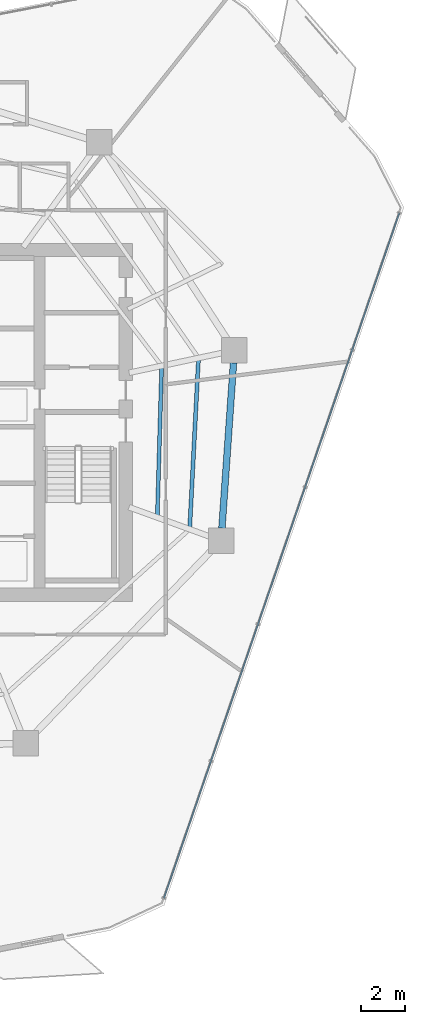
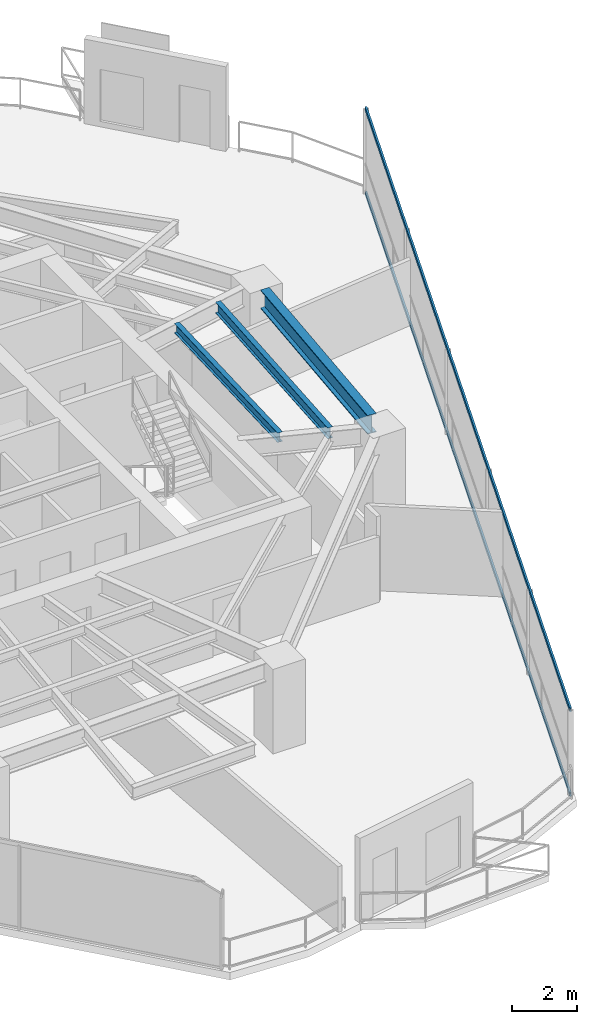
# One storey, part 12 of 27: 3 beams, 2 members, 1 element without a shape of its own.
"""IFC4 building model written with IfcOpenShell, lengths in metres."""

from ifc_helpers import new_model, si_unit, direction, frame, origin, origin_2d, place, context, subcontext, project, spatial, hollow_rectangle, i_section, extrude, material, layer, layer_set, material_profile, profile_set, type_object, element, aggregate, save


model = new_model("IFC4")

# Units and contexts
model_context = context("Model", 3, precision=1e-05, world=origin(), true_north=direction((0.0, 1.0)))
body_context = subcontext(model_context, "Body", "Model", "MODEL_VIEW")
ifc_project = project(units=[si_unit("LENGTHUNIT", "METRE"), si_unit("AREAUNIT", "SQUARE_METRE"), si_unit("VOLUMEUNIT", "CUBIC_METRE"), si_unit("PLANEANGLEUNIT", "RADIAN"), si_unit("MASSUNIT", "GRAM", prefix="KILO")], contexts=[model_context])

# Site, building, storey
site_placement = place(None, origin())
site = spatial("IfcSite", under=ifc_project, at=site_placement, CompositionType="ELEMENT")
building_placement = place(site_placement, origin())
building = spatial("IfcBuilding", under=site, at=building_placement, Name="Qarnah Convention Tower", CompositionType="ELEMENT")
storey_placement = place(building_placement, frame((0.0, 0.0, 107.39990234375)))
storey = spatial("IfcBuildingStorey", under=building, at=storey_placement, Name="L28", CompositionType="ELEMENT", Elevation=107.39990234375)

# Beams
ifc_material_1 = material(Name="Structural steel S355JR", Category="steel")
ifc_material_profile_1 = material_profile(ifc_material_1, i_section(OverallWidth=0.172119140625, OverallDepth=0.35595703125, WebThickness=0.007080078125, FlangeThickness=0.011962890625, at=origin_2d()), Name="W360X51")
ifc_profile_set_1 = profile_set([ifc_material_profile_1], Name="Structural steel S355JR")
beam_type_1 = type_object("IfcBeamType", Name="BM-JST-W360", PredefinedType="JOIST", material=ifc_profile_set_1)
beam_1_placement = place(storey_placement, frame((49.02392578125, 22.18701171875, 2.9921875), z_axis=(0.028906133337, 0.99958213042, 0.0), x_axis=(-0.99958213042, 0.028906133337, 0.0)))
element("IfcBeam", 1, at=beam_1_placement, inside=storey, type_object=beam_type_1, Name="L28 joist BM-L28-IJST-09", PredefinedType="JOIST", context=body_context, shape_type="SweptSolid", body=[
    extrude(i_section(OverallWidth=0.172119140625, OverallDepth=0.35595703125, WebThickness=0.007080078125, FlangeThickness=0.011962890625, at=origin_2d()), origin(), (0.0, 0.0, 1.0), 6.6806640625),
])
ifc_material_profile_2 = material_profile(ifc_material_1, i_section(OverallWidth=0.177978515625, OverallDepth=0.407958984375, WebThickness=0.008056640625, FlangeThickness=0.012939453125, at=origin_2d()), Name="W410X60")
ifc_profile_set_2 = profile_set([ifc_material_profile_2], Name="Structural steel S355JR")
beam_type_2 = type_object("IfcBeamType", Name="BM-JST-W410", PredefinedType="JOIST", material=ifc_profile_set_2)
beam_2_placement = place(storey_placement, frame((50.489990234375, 21.654052734375, 2.966064453125), z_axis=(0.051882273789, 0.998653207909, 0.0), x_axis=(-0.998653207909, 0.051882273789, 0.0)))
element("IfcBeam", 2, at=beam_2_placement, inside=storey, type_object=beam_type_2, Name="L28 joist BM-L28-SJST-09", PredefinedType="JOIST", context=body_context, shape_type="SweptSolid", body=[
    extrude(i_section(OverallWidth=0.177978515625, OverallDepth=0.407958984375, WebThickness=0.008056640625, FlangeThickness=0.012939453125, at=origin_2d()), origin(), (0.0, 0.0, 1.0), 7.576171875),
])
ifc_material_profile_3 = material_profile(ifc_material_1, i_section(OverallWidth=0.300048828125, OverallDepth=0.699951171875, WebThickness=0.01708984375, FlangeThickness=0.031982421875, at=origin_2d()), Name="HEB700")
ifc_profile_set_3 = profile_set([ifc_material_profile_3], Name="Structural steel S355JR")
beam_type_3 = type_object("IfcBeamType", Name="BM-RING-HEB700", PredefinedType="BEAM", material=ifc_profile_set_3)
beam_3_placement = place(storey_placement, frame((51.945068359375, 21.611083984375, 2.820068359375), z_axis=(0.069881623509, 0.997555291047, 0.0), x_axis=(-0.997555291047, 0.069881623509, 0.0)))
element("IfcBeam", 3, at=beam_3_placement, inside=storey, type_object=beam_type_3, Name="L28 beam BM-L28-SPN-09", PredefinedType="BEAM", context=body_context, shape_type="SweptSolid", body=[
    extrude(i_section(OverallWidth=0.300048828125, OverallDepth=0.699951171875, WebThickness=0.01708984375, FlangeThickness=0.031982421875, at=origin_2d()), origin(), (0.0, 0.0, 1.0), 7.497314453125),
])

# Curtain wall, members
ifc_material_2 = material(Name="Tempered Low-E dark glass", Category="glass")
ifc_layer = layer(ifc_material_2, 0.169921875)
ifc_layer_set = layer_set([ifc_layer], Name="Tempered Low-E dark glass")
curtain_wall_type = type_object("IfcCurtainWallType", Name="CWS-02", PredefinedType="NOTDEFINED", material=ifc_layer_set)
curtain_wall_placement = place(storey_placement, origin())
curtain_wall = element("IfcCurtainWall", 4, at=curtain_wall_placement, inside=storey, type_object=curtain_wall_type, Name="L28 unitised curtain wall CW-L28-F2", PredefinedType="NOTDEFINED")
ifc_material_3 = material(Name="Black anodised aluminium", Category="aluminium")
ifc_material_profile_4 = material_profile(ifc_material_3, hollow_rectangle(XDim=0.06494140625, YDim=0.14990234375, WallThickness=0.00390625, at=origin_2d()), Name="TRN-65X150")
ifc_profile_set_4 = profile_set([ifc_material_profile_4], Name="Black anodised aluminium")
member_type = type_object("IfcMemberType", Name="TRN-T2", PredefinedType="USERDEFINED", material=ifc_profile_set_4)
member_1_placement = place(storey_placement, frame((59.969970703125, 35.873046875, 0.0), z_axis=(-0.324899050681, -0.945748701753, 0.0), x_axis=(0.945748701753, -0.324899050681, 0.0)))
member_1 = element("IfcMember", 5, at=member_1_placement, type_object=member_type, Name="CW-L28-F2 transom 1", ObjectType="TRANSOM", PredefinedType="USERDEFINED", context=body_context, shape_type="SweptSolid", body=[
    extrude(hollow_rectangle(XDim=0.06494140625, YDim=0.14990234375, WallThickness=0.00390625, at=origin_2d()), origin(), (0.0, 0.0, 1.0), 32.773193359375),
])
member_2_placement = place(storey_placement, frame((59.969970703125, 35.873046875, 3.170166015625), z_axis=(-0.324899050681, -0.945748701753, 0.0), x_axis=(0.945748701753, -0.324899050681, 0.0)))
member_2 = element("IfcMember", 6, at=member_2_placement, type_object=member_type, Name="CW-L28-F2 transom 2", ObjectType="TRANSOM", PredefinedType="USERDEFINED", context=body_context, shape_type="SweptSolid", body=[
    extrude(hollow_rectangle(XDim=0.06494140625, YDim=0.14990234375, WallThickness=0.00390625, at=origin_2d()), origin(), (0.0, 0.0, 1.0), 32.773193359375),
])
aggregate(curtain_wall, [member_1, member_2])

save(model, "model.ifc")
